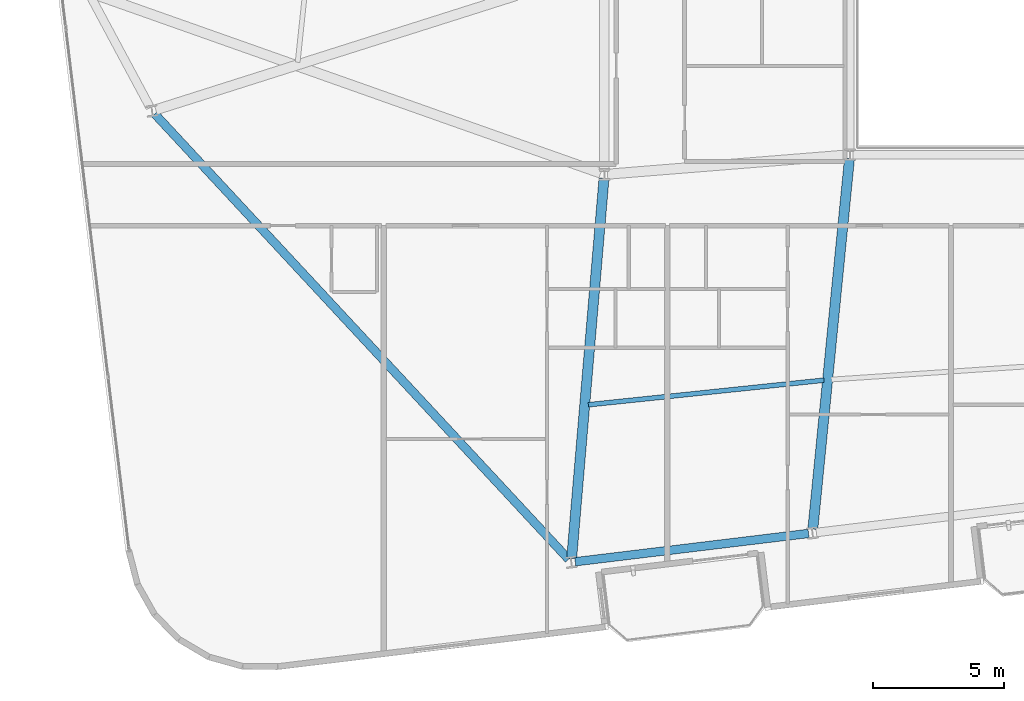
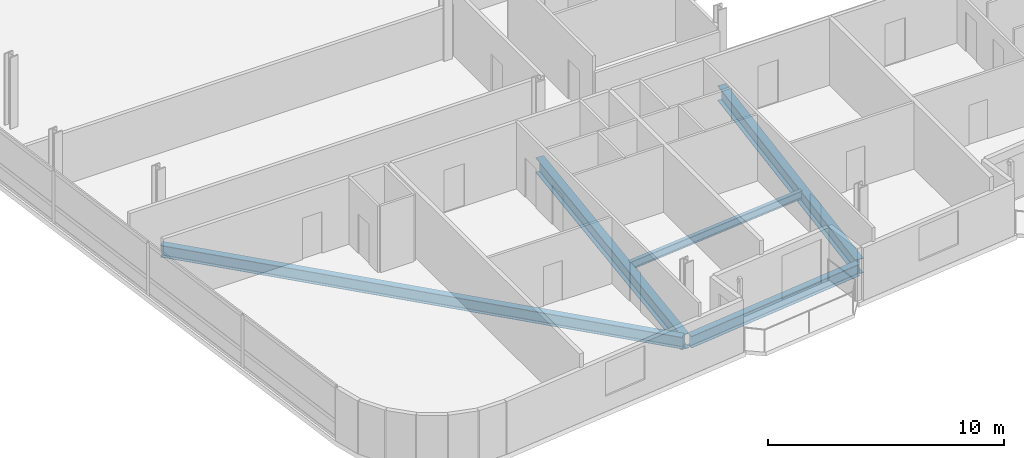
# One storey, part 3 of 23: 5 beams.
"""IFC4 building model written with IfcOpenShell, lengths in metres."""

from ifc_helpers import new_model, si_unit, direction, frame, origin, origin_2d, place, context, subcontext, project, spatial, i_section, extrude, material, material_profile, profile_set, type_object, element, save


model = new_model("IFC4")

# Units and contexts
model_context = context("Model", 3, precision=1e-05, world=origin(), true_north=direction((0.0, 1.0)))
body_context = subcontext(model_context, "Body", "Model", "MODEL_VIEW")
ifc_project = project(units=[si_unit("LENGTHUNIT", "METRE"), si_unit("AREAUNIT", "SQUARE_METRE"), si_unit("VOLUMEUNIT", "CUBIC_METRE"), si_unit("PLANEANGLEUNIT", "RADIAN"), si_unit("MASSUNIT", "GRAM", prefix="KILO")], contexts=[model_context])

# Site, building, storey
site_placement = place(None, origin())
site = spatial("IfcSite", under=ifc_project, at=site_placement, CompositionType="ELEMENT")
building_placement = place(site_placement, origin())
building = spatial("IfcBuilding", under=site, at=building_placement, Name="Varnelok Gate Tower", CompositionType="ELEMENT")
storey_placement = place(building_placement, frame((0.0, 0.0, 174.60009765625)))
storey = spatial("IfcBuildingStorey", under=building, at=storey_placement, Name="L44", CompositionType="ELEMENT", Elevation=174.60009765625)

# Beams
ifc_material = material(Name="Structural Steel ASTM A992 Grade 50", Category="steel")
ifc_material_profile_1 = material_profile(ifc_material, i_section(OverallWidth=0.180908203125, OverallDepth=0.4169921875, WebThickness=0.010986328125, FlangeThickness=0.018310546875, FilletRadius=0.013916015625, at=origin_2d()), Name="W16X57")
ifc_profile_set_1 = profile_set([ifc_material_profile_1], Name="Structural Steel ASTM A992 Grade 50")
beam_type_1 = type_object("IfcBeamType", Name="BM-JST-W16X57", PredefinedType="JOIST", material=ifc_profile_set_1)
beam_1_placement = place(storey_placement, frame((23.791015625, 10.0283203125, -0.45849609375), z_axis=(0.994593629184, 0.103843694018, 0.0), x_axis=(-0.103843694018, 0.994593629184, 0.0)))
element("IfcBeam", 1, at=beam_1_placement, inside=storey, type_object=beam_type_1, Name="L44 Sector Floor Joist 1", PredefinedType="JOIST", context=body_context, shape_type="SweptSolid", body=[
    extrude(i_section(OverallWidth=0.180908203125, OverallDepth=0.4169921875, WebThickness=0.010986328125, FlangeThickness=0.018310546875, FilletRadius=0.013916015625, at=origin_2d()), origin(), (0.0, 0.0, 1.0), 9.02099609375),
])
ifc_material_profile_2 = material_profile(ifc_material, i_section(OverallWidth=0.381103515625, OverallDepth=0.77294921875, WebThickness=0.0166015625, FlangeThickness=0.027099609375, FilletRadius=0.02197265625, at=origin_2d()), Name="W30X173")
ifc_profile_set_2 = profile_set([ifc_material_profile_2], Name="Structural Steel ASTM A992 Grade 50")
beam_type_2 = type_object("IfcBeamType", Name="BM-PRI-W30X173", PredefinedType="BEAM", material=ifc_profile_set_2)
beam_2_placement = place(storey_placement, frame((24.38720703125, 18.650390625, -0.63671875), z_axis=(-0.08482646823, -0.996395739798, 0.0), x_axis=(0.996395739798, -0.08482646823, 0.0)))
element("IfcBeam", 2, at=beam_2_placement, inside=storey, type_object=beam_type_2, Name="L44 Radial Floor Girder 1", PredefinedType="BEAM", context=body_context, shape_type="SweptSolid", body=[
    extrude(i_section(OverallWidth=0.381103515625, OverallDepth=0.77294921875, WebThickness=0.0166015625, FlangeThickness=0.027099609375, FilletRadius=0.02197265625, at=origin_2d()), origin(), (0.0, 0.0, 1.0), 14.52001953125),
])
beam_3_placement = place(storey_placement, frame((33.735107421875, 19.400634765625, -0.63671875), z_axis=(-0.098420734253, -0.995144893505, 0.0), x_axis=(0.995144893505, -0.098420734253, 0.0)))
element("IfcBeam", 3, at=beam_3_placement, inside=storey, type_object=beam_type_2, Name="L44 Radial Floor Girder 2", PredefinedType="BEAM", context=body_context, shape_type="SweptSolid", body=[
    extrude(i_section(OverallWidth=0.381103515625, OverallDepth=0.77294921875, WebThickness=0.0166015625, FlangeThickness=0.027099609375, FilletRadius=0.02197265625, at=origin_2d()), origin(), (0.0, 0.0, 1.0), 14.174072265625),
])
ifc_material_profile_3 = material_profile(ifc_material, i_section(OverallWidth=0.323974609375, OverallDepth=0.611083984375, WebThickness=0.0126953125, FlangeThickness=0.01904296875, FilletRadius=0.01806640625, at=origin_2d()), Name="W24X104")
ifc_profile_set_3 = profile_set([ifc_material_profile_3], Name="Structural Steel ASTM A992 Grade 50")
beam_type_3 = type_object("IfcBeamType", Name="BM-SPN-W24X104", PredefinedType="SPANDREL", material=ifc_profile_set_3)
beam_4_placement = place(storey_placement, frame((23.29150390625, 4.051025390625, -0.5556640625), z_axis=(0.99273141198, 0.120350918849, 0.0), x_axis=(-0.120350918849, 0.99273141198, 0.0)))
element("IfcBeam", 4, at=beam_4_placement, inside=storey, type_object=beam_type_3, Name="L44 Perimeter Spandrel Beam 1", PredefinedType="SPANDREL", context=body_context, shape_type="SweptSolid", body=[
    extrude(i_section(OverallWidth=0.323974609375, OverallDepth=0.611083984375, WebThickness=0.0126953125, FlangeThickness=0.01904296875, FilletRadius=0.01806640625, at=origin_2d()), origin(), (0.0, 0.0, 1.0), 8.949951171875),
])
beam_5_placement = place(storey_placement, frame((7.27685546875, 21.106201171875, -0.5556640625), z_axis=(0.680728456616, -0.732535847828, 0.0), x_axis=(0.732535847828, 0.680728456616, 0.0)))
element("IfcBeam", 5, at=beam_5_placement, inside=storey, type_object=beam_type_3, Name="L44 Perimeter Spandrel Beam 16", PredefinedType="SPANDREL", context=body_context, shape_type="SweptSolid", body=[
    extrude(i_section(OverallWidth=0.323974609375, OverallDepth=0.611083984375, WebThickness=0.0126953125, FlangeThickness=0.01904296875, FilletRadius=0.01806640625, at=origin_2d()), origin(), (0.0, 0.0, 1.0), 23.156982421875),
])

save(model, "model.ifc")
